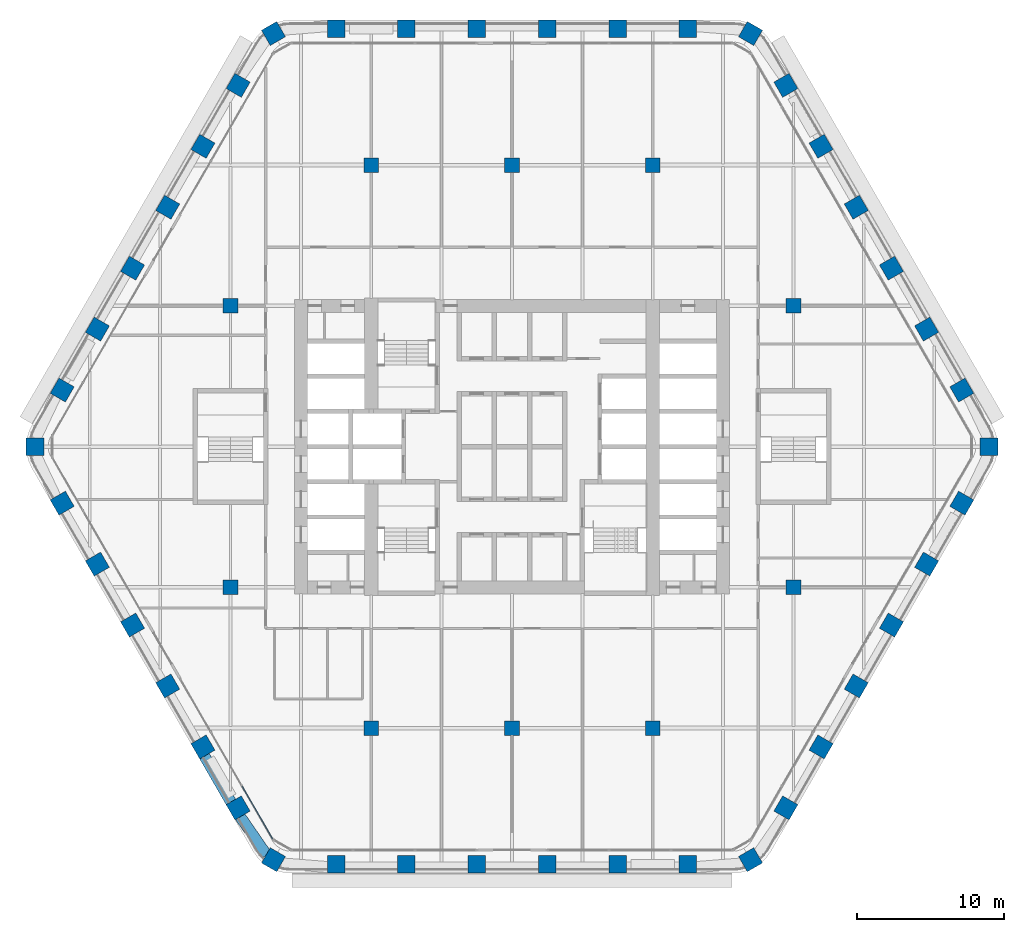
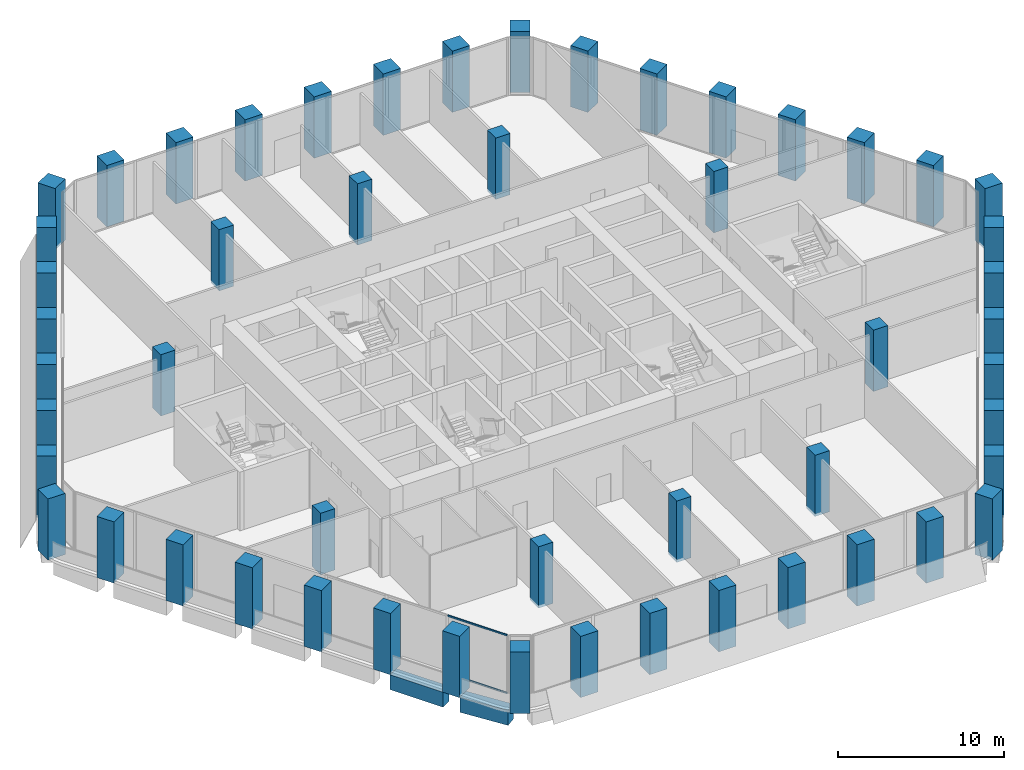
# One storey, part 1 of 22: 52 columns, 2 beams, 2 members, 1 element without a shape of its own.
"""IFC4 building model written with IfcOpenShell, lengths in metres."""

from ifc_helpers import new_model, si_unit, direction, frame, origin, origin_2d, place, context, subcontext, project, spatial, rectangle, extrude, material, material_profile, profile_set, type_object, element, aggregate, save


model = new_model("IFC4")

# Units and contexts
model_context = context("Model", 3, precision=1e-05, world=origin(), true_north=direction((0.0, 1.0)))
body_context = subcontext(model_context, "Body", "Model", "MODEL_VIEW")
ifc_project = project(units=[si_unit("LENGTHUNIT", "METRE"), si_unit("AREAUNIT", "SQUARE_METRE"), si_unit("VOLUMEUNIT", "CUBIC_METRE"), si_unit("PLANEANGLEUNIT", "RADIAN"), si_unit("MASSUNIT", "GRAM", prefix="KILO")], contexts=[model_context])

# Site, building, storey
site_placement = place(None, origin())
site = spatial("IfcSite", under=ifc_project, at=site_placement, CompositionType="ELEMENT")
building_placement = place(site_placement, origin())
building = spatial("IfcBuilding", under=site, at=building_placement, Name="Kolab Exchange Tower", CompositionType="ELEMENT")
storey_placement = place(building_placement, frame((0.0, 0.0, 113.89990234375)))
storey = spatial("IfcBuildingStorey", under=building, at=storey_placement, Name="L22", CompositionType="ELEMENT", Elevation=113.89990234375)

# Columns
ifc_material_1 = material(Name="Concrete C70/85", Category="concrete")
ifc_material_profile_1 = material_profile(ifc_material_1, rectangle(XDim=1.0, YDim=1.0, at=origin_2d()), Name="RC1000")
ifc_profile_set_1 = profile_set([ifc_material_profile_1], Name="Concrete C70/85")
column_type_1 = type_object("IfcColumnType", Name="INTERIOR COLUMN 1000 SQ C70/85", PredefinedType="COLUMN", material=ifc_profile_set_1)
for number, where, z_axis, x_axis, name in (
    (1, (-19.199951171875, -9.60009765625, -0.199951171875), (0.0, 0.0, 1.0), (1.0, 0.0, 0.0), "col/L22/I-I9"),
    (2, (-19.199951171875, 9.60009765625, -0.199951171875), (0.0, 0.0, 1.0), (1.0, 0.0, 0.0), "col/L22/I-I13"),
    (3, (-9.60009765625, -19.199951171875, -0.199951171875), (0.0, 0.0, 1.0), (1.0, 0.0, 0.0), "col/L22/I-K7"),
    (4, (-9.60009765625, 19.199951171875, -0.199951171875), (0.0, 0.0, 1.0), (1.0, 0.0, 0.0), "col/L22/I-K15"),
    (5, (0.0, -19.199951171875, -0.199951171875), (0.0, 0.0, 1.0), (1.0, 0.0, 0.0), "col/L22/I-M7"),
    (6, (0.0, 19.199951171875, -0.199951171875), (0.0, 0.0, 1.0), (1.0, 0.0, 0.0), "col/L22/I-M15"),
    (7, (9.60009765625, -19.199951171875, -0.199951171875), (0.0, 0.0, 1.0), (1.0, 0.0, 0.0), "col/L22/I-O7"),
    (8, (9.60009765625, 19.199951171875, -0.199951171875), (0.0, 0.0, 1.0), (1.0, 0.0, 0.0), "col/L22/I-O15"),
    (9, (19.199951171875, -9.60009765625, -0.199951171875), (0.0, 0.0, 1.0), (1.0, 0.0, 0.0), "col/L22/I-Q9"),
    (10, (19.199951171875, 9.60009765625, -0.199951171875), (0.0, 0.0, 1.0), (1.0, 0.0, 0.0), "col/L22/I-Q13"),
):
    element("IfcColumn", number, at=place(storey_placement, frame(where, z_axis=z_axis, x_axis=x_axis)), inside=storey, type_object=column_type_1, Name=name, PredefinedType="COLUMN", context=body_context, shape_type="SweptSolid", body=[
        extrude(rectangle(XDim=1.0, YDim=1.0, at=origin_2d()), origin(), (0.0, 0.0, 1.0), 4.5),
    ])
ifc_material_profile_2 = material_profile(ifc_material_1, rectangle(XDim=1.199951171875, YDim=1.199951171875, at=origin_2d()), Name="RC1200")
ifc_profile_set_2 = profile_set([ifc_material_profile_2], Name="Concrete C70/85")
column_type_2 = type_object("IfcColumnType", Name="PERIMETER COLUMN 1200 SQ C70/85", PredefinedType="COLUMN", material=ifc_profile_set_2)
for number, where, z_axis, x_axis, name in (
    (11, (-16.26806640625, 28.177001953125, -0.199951171875), (0.0, 0.0, 1.0), (0.866025403784, 0.5, 0.0), "col/L22/F1-01"),
    (12, (-12.0, 28.49853515625, -0.199951171875), (0.0, 0.0, 1.0), (1.0, 0.0, 0.0), "col/L22/F1-02"),
    (13, (-7.199951171875, 28.49853515625, -0.199951171875), (0.0, 0.0, 1.0), (1.0, 0.0, 0.0), "col/L22/F1-03"),
    (14, (-2.39990234375, 28.49853515625, -0.199951171875), (0.0, 0.0, 1.0), (1.0, 0.0, 0.0), "col/L22/F1-04"),
    (15, (2.39990234375, 28.49853515625, -0.199951171875), (0.0, 0.0, 1.0), (1.0, 0.0, 0.0), "col/L22/F1-05"),
    (16, (7.199951171875, 28.49853515625, -0.199951171875), (0.0, 0.0, 1.0), (1.0, 0.0, 0.0), "col/L22/F1-06"),
    (17, (12.0, 28.49853515625, -0.199951171875), (0.0, 0.0, 1.0), (1.0, 0.0, 0.0), "col/L22/F1-07"),
    (18, (16.26806640625, 28.177001953125, -0.199951171875), (0.0, 0.0, 1.0), (0.5, 0.866025403784, 0.0), "col/L22/F2-01"),
    (19, (18.680419921875, 24.6416015625, -0.199951171875), (0.0, 0.0, 1.0), (0.866025403784, 0.5, 0.0), "col/L22/F2-02"),
    (20, (21.080322265625, 20.484619140625, -0.199951171875), (0.0, 0.0, 1.0), (0.866025403784, 0.5, 0.0), "col/L22/F2-03"),
    (21, (23.48046875, 16.32763671875, -0.199951171875), (0.0, 0.0, 1.0), (0.866025403784, 0.5, 0.0), "col/L22/F2-04"),
    (22, (25.88037109375, 12.170654296875, -0.199951171875), (0.0, 0.0, 1.0), (0.866025403784, 0.5, 0.0), "col/L22/F2-05"),
    (23, (28.2802734375, 8.013916015625, -0.199951171875), (0.0, 0.0, 1.0), (0.866025403784, 0.5, 0.0), "col/L22/F2-06"),
    (24, (30.680419921875, 3.85693359375, -0.199951171875), (0.0, 0.0, 1.0), (0.866025403784, 0.5, 0.0), "col/L22/F2-07"),
    (25, (32.535888671875, 0.0, -0.199951171875), (0.0, 0.0, 1.0), (1.0, 0.0, 0.0), "col/L22/F3-01"),
    (26, (30.680419921875, -3.85693359375, -0.199951171875), (0.0, 0.0, 1.0), (0.5, 0.866025403784, 0.0), "col/L22/F3-02"),
    (27, (28.2802734375, -8.013916015625, -0.199951171875), (0.0, 0.0, 1.0), (0.5, 0.866025403784, 0.0), "col/L22/F3-03"),
    (28, (25.88037109375, -12.170654296875, -0.199951171875), (0.0, 0.0, 1.0), (0.5, 0.866025403784, 0.0), "col/L22/F3-04"),
    (29, (23.48046875, -16.32763671875, -0.199951171875), (0.0, 0.0, 1.0), (0.5, 0.866025403784, 0.0), "col/L22/F3-05"),
    (30, (21.080322265625, -20.484619140625, -0.199951171875), (0.0, 0.0, 1.0), (0.5, 0.866025403784, 0.0), "col/L22/F3-06"),
    (31, (18.680419921875, -24.6416015625, -0.199951171875), (0.0, 0.0, 1.0), (0.5, 0.866025403784, 0.0), "col/L22/F3-07"),
    (32, (16.26806640625, -28.177001953125, -0.199951171875), (0.0, 0.0, 1.0), (0.866025403784, 0.5, 0.0), "col/L22/F4-01"),
    (33, (12.0, -28.49853515625, -0.199951171875), (0.0, 0.0, 1.0), (1.0, 0.0, 0.0), "col/L22/F4-02"),
    (34, (7.199951171875, -28.49853515625, -0.199951171875), (0.0, 0.0, 1.0), (1.0, 0.0, 0.0), "col/L22/F4-03"),
    (35, (2.39990234375, -28.49853515625, -0.199951171875), (0.0, 0.0, 1.0), (1.0, 0.0, 0.0), "col/L22/F4-04"),
    (36, (-2.39990234375, -28.49853515625, -0.199951171875), (0.0, 0.0, 1.0), (1.0, 0.0, 0.0), "col/L22/F4-05"),
    (37, (-7.199951171875, -28.49853515625, -0.199951171875), (0.0, 0.0, 1.0), (1.0, 0.0, 0.0), "col/L22/F4-06"),
    (38, (-12.0, -28.49853515625, -0.199951171875), (0.0, 0.0, 1.0), (1.0, 0.0, 0.0), "col/L22/F4-07"),
    (39, (-16.26806640625, -28.177001953125, -0.199951171875), (0.0, 0.0, 1.0), (0.5, 0.866025403784, 0.0), "col/L22/F5-01"),
    (40, (-18.680419921875, -24.6416015625, -0.199951171875), (0.0, 0.0, 1.0), (0.866025403784, 0.5, 0.0), "col/L22/F5-02"),
    (41, (-21.080322265625, -20.484619140625, -0.199951171875), (0.0, 0.0, 1.0), (0.866025403784, 0.5, 0.0), "col/L22/F5-03"),
    (42, (-23.48046875, -16.32763671875, -0.199951171875), (0.0, 0.0, 1.0), (0.866025403784, 0.5, 0.0), "col/L22/F5-04"),
    (43, (-25.88037109375, -12.170654296875, -0.199951171875), (0.0, 0.0, 1.0), (0.866025403784, 0.5, 0.0), "col/L22/F5-05"),
    (44, (-28.2802734375, -8.013916015625, -0.199951171875), (0.0, 0.0, 1.0), (0.866025403784, 0.5, 0.0), "col/L22/F5-06"),
    (45, (-30.680419921875, -3.85693359375, -0.199951171875), (0.0, 0.0, 1.0), (0.866025403784, 0.5, 0.0), "col/L22/F5-07"),
    (46, (-32.535888671875, 0.0, -0.199951171875), (0.0, 0.0, 1.0), (1.0, 0.0, 0.0), "col/L22/F6-01"),
    (47, (-30.680419921875, 3.85693359375, -0.199951171875), (0.0, 0.0, 1.0), (0.5, 0.866025403784, 0.0), "col/L22/F6-02"),
    (48, (-28.2802734375, 8.013916015625, -0.199951171875), (0.0, 0.0, 1.0), (0.5, 0.866025403784, 0.0), "col/L22/F6-03"),
    (49, (-25.88037109375, 12.170654296875, -0.199951171875), (0.0, 0.0, 1.0), (0.5, 0.866025403784, 0.0), "col/L22/F6-04"),
    (50, (-23.48046875, 16.32763671875, -0.199951171875), (0.0, 0.0, 1.0), (0.5, 0.866025403784, 0.0), "col/L22/F6-05"),
    (51, (-21.080322265625, 20.484619140625, -0.199951171875), (0.0, 0.0, 1.0), (0.5, 0.866025403784, 0.0), "col/L22/F6-06"),
    (52, (-18.680419921875, 24.6416015625, -0.199951171875), (0.0, 0.0, 1.0), (0.5, 0.866025403784, 0.0), "col/L22/F6-07"),
):
    element("IfcColumn", number, at=place(storey_placement, frame(where, z_axis=z_axis, x_axis=x_axis)), inside=storey, type_object=column_type_2, Name=name, PredefinedType="COLUMN", context=body_context, shape_type="SweptSolid", body=[
        extrude(rectangle(XDim=1.199951171875, YDim=1.199951171875, at=origin_2d()), origin(), (0.0, 0.0, 1.0), 4.5),
    ])

# Beams
ifc_material_profile_3 = material_profile(ifc_material_1, rectangle(XDim=0.75, YDim=1.10009765625, at=origin_2d()), Name="RC750X1100")
ifc_profile_set_3 = profile_set([ifc_material_profile_3], Name="Concrete C70/85")
beam_type = type_object("IfcBeamType", Name="SPANDREL BEAM 750X1100 C70/85", PredefinedType="BEAM", material=ifc_profile_set_3)
beam_1_placement = place(storey_placement, frame((-16.73486328125, -27.85791015625, -0.75), z_axis=(-0.567661826262, 0.823261836237, 0.0), x_axis=(-0.823261836237, -0.567661826262, 0.0)))
element("IfcBeam", 53, at=beam_1_placement, inside=storey, type_object=beam_type, Name="beam/L22/sp/F5-01", PredefinedType="BEAM", context=body_context, shape_type="SweptSolid", body=[
    extrude(rectangle(XDim=0.75, YDim=1.10009765625, at=origin_2d()), origin(), (0.0, 0.0, 1.0), 3.20849609375),
])
beam_2_placement = place(storey_placement, frame((-19.1552734375, -24.26904296875, -0.75), z_axis=(-0.500013413428, 0.866017659399, 0.0), x_axis=(-0.866017659399, -0.500013413428, 0.0)))
element("IfcBeam", 54, at=beam_2_placement, inside=storey, type_object=beam_type, Name="beam/L22/sp/F5-02", PredefinedType="BEAM", context=body_context, shape_type="SweptSolid", body=[
    extrude(rectangle(XDim=0.75, YDim=1.10009765625, at=origin_2d()), origin(), (0.0, 0.0, 1.0), 3.68017578125),
])

# Curtain wall, members
ifc_material_2 = material(Name="Aluminium EN AW-6063 T6", Category="aluminium")
curtain_wall_type = type_object("IfcCurtainWallType", Name="UNITISED LOWER MID ZONE CURTAIN WALL", PredefinedType="NOTDEFINED", material=ifc_material_2)
curtain_wall_placement = place(storey_placement, origin())
curtain_wall = element("IfcCurtainWall", 55, at=curtain_wall_placement, inside=storey, type_object=curtain_wall_type, Name="cw/L22/F5-1", PredefinedType="NOTDEFINED")
ifc_material_profile_4 = material_profile(ifc_material_2, rectangle(XDim=0.06005859375, YDim=0.1201171875, at=origin_2d()), Name="RECT 60X120")
ifc_profile_set_4 = profile_set([ifc_material_profile_4], Name="Aluminium EN AW-6063 T6")
member_type = type_object("IfcMemberType", Name="UNITISED LOWER MID ZONE TRANSOM 60 X 120", PredefinedType="USERDEFINED", material=ifc_profile_set_4)
member_1_placement = place(storey_placement, frame((-16.32763671875, -26.756591796875, 0.030029296875), z_axis=(-0.500001996123, 0.866024251319, 0.0), x_axis=(-0.866024251319, -0.500001996123, 0.0)))
member_1 = element("IfcMember", 56, at=member_1_placement, type_object=member_type, Name="CW2 transom 1.1", ObjectType="TRANSOM", PredefinedType="USERDEFINED", context=body_context, shape_type="SweptSolid", body=[
    extrude(rectangle(XDim=0.06005859375, YDim=0.1201171875, at=origin_2d()), origin(), (0.0, 0.0, 1.0), 4.1328125),
])
member_2_placement = place(storey_placement, frame((-16.32763671875, -26.756591796875, 4.27001953125), z_axis=(-0.500001996123, 0.866024251319, 0.0), x_axis=(-0.866024251319, -0.500001996123, 0.0)))
member_2 = element("IfcMember", 57, at=member_2_placement, type_object=member_type, Name="CW2 transom 1.2", ObjectType="TRANSOM", PredefinedType="USERDEFINED", context=body_context, shape_type="SweptSolid", body=[
    extrude(rectangle(XDim=0.06005859375, YDim=0.1201171875, at=origin_2d()), origin(), (0.0, 0.0, 1.0), 4.1328125),
])
aggregate(curtain_wall, [member_1, member_2])

save(model, "model.ifc")
